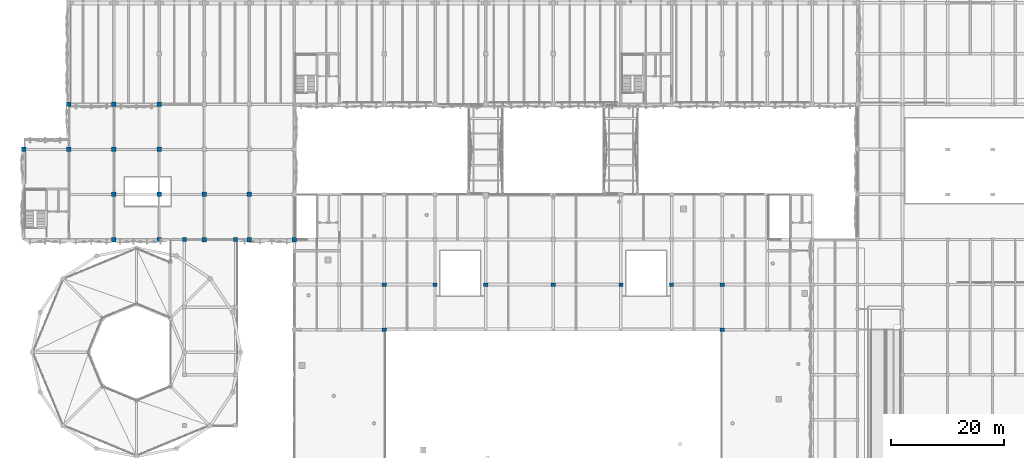
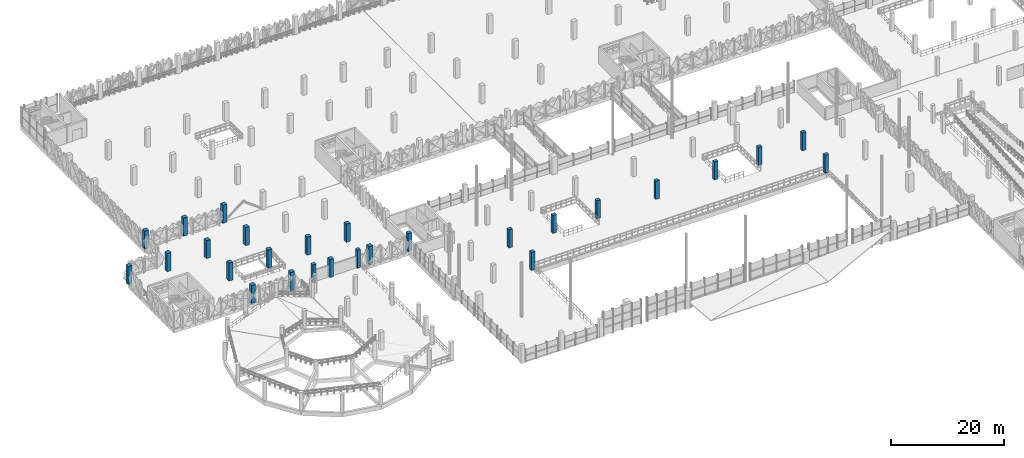
# One storey, part 6 of 123: 27 columns.
"""IFC4 building model written with IfcOpenShell, lengths in metres."""

from ifc_helpers import new_model, si_unit, derived_unit, direction, frame, origin, origin_2d, place, context, subcontext, project, spatial, rectangle, extrude, material, material_profile, profile_set, type_object, element, save


model = new_model("IFC4")

# Units and contexts
model_context = context("Model", 3, precision=1e-05, world=origin(), true_north=direction((0.0, 1.0)))
body_context = subcontext(model_context, "Body", "Model", "MODEL_VIEW")
ifc_project = project(units=[si_unit("LENGTHUNIT", "METRE"), si_unit("AREAUNIT", "SQUARE_METRE"), si_unit("VOLUMEUNIT", "CUBIC_METRE"), si_unit("PLANEANGLEUNIT", "RADIAN"), si_unit("MASSUNIT", "GRAM", prefix="KILO"), si_unit("THERMODYNAMICTEMPERATUREUNIT", "KELVIN"), derived_unit("THERMALTRANSMITTANCEUNIT", [(si_unit("POWERUNIT", "WATT"), 1), (si_unit("AREAUNIT", "SQUARE_METRE"), -1), (si_unit("THERMODYNAMICTEMPERATUREUNIT", "KELVIN"), -1)])], contexts=[model_context])

# Site, building, storey
site_placement = place(None, origin())
site = spatial("IfcSite", under=ifc_project, at=site_placement, CompositionType="ELEMENT")
building_placement = place(site_placement, origin())
building = spatial("IfcBuilding", under=site, at=building_placement, Name="Haiyu Intermodal Mobility Hub", CompositionType="ELEMENT")
storey_placement = place(building_placement, frame((0.0, 0.0, 5.60009765625)))
storey = spatial("IfcBuildingStorey", under=building, at=storey_placement, Name="L01", CompositionType="ELEMENT", Elevation=5.60009765625)

# Columns
ifc_material_1 = material(Name="Precast concrete C40", Category="concrete")
ifc_material_profile_1 = material_profile(ifc_material_1, rectangle(XDim=0.800048828125, YDim=0.800048828125, at=origin_2d()), Name="RC800x800")
ifc_profile_set_1 = profile_set([ifc_material_profile_1], Name="Precast concrete C40")
column_type_1 = type_object("IfcColumnType", Name="COL-CC02", PredefinedType="COLUMN", material=ifc_profile_set_1)
for number, where, z_axis, x_axis, name in (
    (1, (22.0, 96.0, 0.0), (0.0, 0.0, 1.0), (1.0, 0.0, 0.0), "Column V4W-2L L01"),
    (2, (30.0, 88.0, 0.0), (0.0, 0.0, 1.0), (1.0, 0.0, 0.0), "Column V4W-3K L01"),
    (3, (30.0, 96.0, 0.0), (0.0, 0.0, 1.0), (1.0, 0.0, 0.0), "Column V4W-3L L01"),
    (4, (38.0, 88.0, 0.0), (0.0, 0.0, 1.0), (1.0, 0.0, 0.0), "Column V4W-4K L01"),
    (5, (38.0, 96.0, 0.0), (0.0, 0.0, 1.0), (1.0, 0.0, 0.0), "Column V4W-4L L01"),
    (6, (46.0, 88.0, 0.0), (0.0, 0.0, 1.0), (1.0, 0.0, 0.0), "Column V4W-5K L01"),
    (7, (54.0, 88.0, 0.0), (0.0, 0.0, 1.0), (1.0, 0.0, 0.0), "Column V4W-6K L01"),
):
    element("IfcColumn", number, at=place(storey_placement, frame(where, z_axis=z_axis, x_axis=x_axis)), inside=storey, type_object=column_type_1, Name=name, PredefinedType="COLUMN", context=body_context, shape_type="SweptSolid", body=[
        extrude(rectangle(XDim=0.800048828125, YDim=0.800048828125, at=origin_2d()), origin(), (0.0, 0.0, 1.0), 3.89990234375),
    ])
ifc_material_profile_2 = material_profile(ifc_material_1, rectangle(XDim=0.800048828125, YDim=0.800048828125, at=origin_2d()), Name="RC800x800")
ifc_profile_set_2 = profile_set([ifc_material_profile_2], Name="Precast concrete C40")
column_type_2 = type_object("IfcColumnType", Name="COL-CC02-EXT", PredefinedType="COLUMN", material=ifc_profile_set_2)
for number, where, z_axis, x_axis, name in (
    (8, (22.0, 104.0, 0.0), (0.0, 0.0, 1.0), (1.0, 0.0, 0.0), "Column V4-2M L01"),
    (9, (30.0, 104.0, 0.0), (0.0, 0.0, 1.0), (1.0, 0.0, 0.0), "Column V4-3M L01"),
    (10, (38.0, 104.0, 0.0), (0.0, 0.0, 1.0), (1.0, 0.0, 0.0), "Column V4-4M L01"),
    (11, (14.0, 96.0, 0.0), (0.0, 0.0, 1.0), (1.0, 0.0, 0.0), "Column V4W-1L L01"),
    (12, (30.0, 80.0, 0.0), (0.0, 0.0, 1.0), (1.0, 0.0, 0.0), "Column V4W-3J L01"),
    (13, (38.0, 80.0, 0.0), (0.0, 0.0, 1.0), (1.0, 0.0, 0.0), "Column V4W-4J L01"),
    (14, (46.0, 80.0, 0.0), (0.0, 0.0, 1.0), (1.0, 0.0, 0.0), "Column V4W-5J L01"),
    (15, (54.0, 80.0, 0.0), (0.0, 0.0, 1.0), (1.0, 0.0, 0.0), "Column V4W-6J L01"),
    (16, (62.0, 80.0, 0.0), (0.0, 0.0, 1.0), (1.0, 0.0, 0.0), "Column V4W-7J L01"),
):
    element("IfcColumn", number, at=place(storey_placement, frame(where, z_axis=z_axis, x_axis=x_axis)), inside=storey, type_object=column_type_2, Name=name, PredefinedType="COLUMN", context=body_context, shape_type="SweptSolid", body=[
        extrude(rectangle(XDim=0.800048828125, YDim=0.800048828125, at=origin_2d()), origin(), (0.0, 0.0, 1.0), 3.89990234375),
    ])
ifc_material_2 = material(Name="Concrete C40", Category="concrete")
ifc_material_profile_3 = material_profile(ifc_material_2, rectangle(XDim=0.75, YDim=0.64990234375, at=origin_2d()), Name="RC750x650")
ifc_profile_set_3 = profile_set([ifc_material_profile_3], Name="Concrete C40")
column_type_3 = type_object("IfcColumnType", Name="COL-CC07", PredefinedType="COLUMN", material=ifc_profile_set_3)
for number, where, z_axis, x_axis, name in (
    (17, (78.0, 64.0, 0.0), (0.0, 0.0, 1.0), (1.0, 0.0, 0.0), "Column V1-9G L01"),
    (18, (78.0, 72.0, 0.0), (0.0, 0.0, 1.0), (1.0, 0.0, 0.0), "Column V1-9H L01"),
    (19, (87.0, 72.0, 0.0), (0.0, 0.0, 1.0), (1.0, 0.0, 0.0), "Column V1-10H L01"),
    (20, (96.0, 72.0, 0.0), (0.0, 0.0, 1.0), (1.0, 0.0, 0.0), "Column V1-11H L01"),
    (21, (108.0, 72.0, 0.0), (0.0, 0.0, 1.0), (1.0, 0.0, 0.0), "Column V1-12H L01"),
    (22, (120.0, 72.0, 0.0), (0.0, 0.0, 1.0), (1.0, 0.0, 0.0), "Column V1-13H L01"),
    (23, (129.0, 72.0, 0.0), (0.0, 0.0, 1.0), (1.0, 0.0, 0.0), "Column V1-14H L01"),
    (24, (138.0, 64.0, 0.0), (0.0, 0.0, 1.0), (1.0, 0.0, 0.0), "Column V1-15G L01"),
    (25, (138.0, 72.0, 0.0), (0.0, 0.0, 1.0), (1.0, 0.0, 0.0), "Column V1-15H L01"),
):
    element("IfcColumn", number, at=place(storey_placement, frame(where, z_axis=z_axis, x_axis=x_axis)), inside=storey, type_object=column_type_3, Name=name, PredefinedType="COLUMN", context=body_context, shape_type="SweptSolid", body=[
        extrude(rectangle(XDim=0.75, YDim=0.64990234375, at=origin_2d()), origin(), (0.0, 0.0, 1.0), 3.89990234375),
    ])
ifc_material_profile_4 = material_profile(ifc_material_2, rectangle(XDim=0.699951171875, YDim=0.699951171875, at=origin_2d()), Name="RC700x700")
ifc_profile_set_4 = profile_set([ifc_material_profile_4], Name="Concrete C40")
column_type_4 = type_object("IfcColumnType", Name="COL-CC08", PredefinedType="COLUMN", material=ifc_profile_set_4)
for number, where, z_axis, x_axis, name in (
    (26, (51.60009765625, 80.0, 0.0), (0.0, 0.0, 1.0), (1.0, 0.0, 0.0), "Column V2L-4 L01"),
    (27, (42.5, 80.0, 0.0), (0.0, 0.0, 1.0), (1.0, 0.0, 0.0), "Column V2LW-4 L01"),
):
    element("IfcColumn", number, at=place(storey_placement, frame(where, z_axis=z_axis, x_axis=x_axis)), inside=storey, type_object=column_type_4, Name=name, PredefinedType="COLUMN", context=body_context, shape_type="SweptSolid", body=[
        extrude(rectangle(XDim=0.699951171875, YDim=0.699951171875, at=origin_2d()), origin(), (0.0, 0.0, 1.0), 3.89990234375),
    ])

save(model, "model.ifc")
